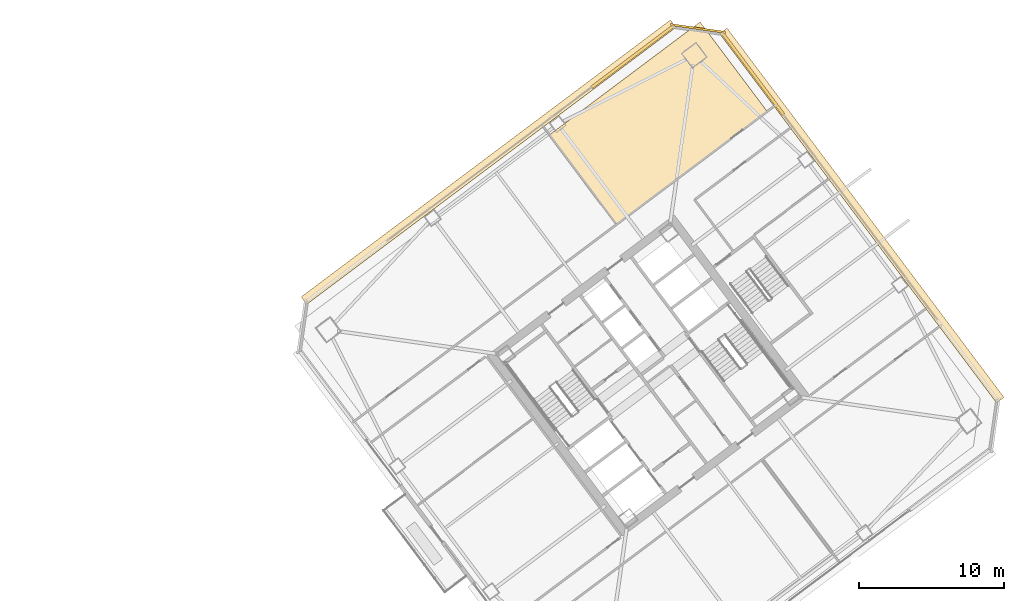
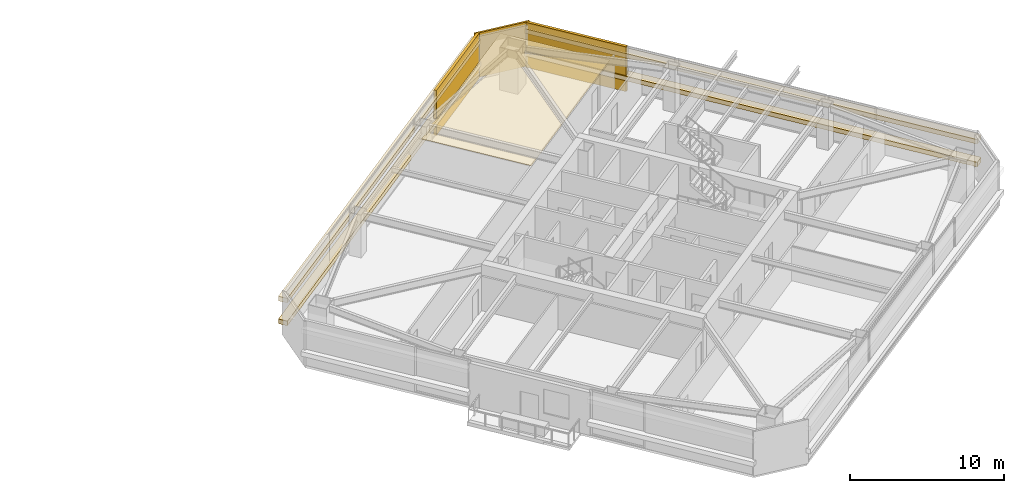
# One storey, part 40 of 40: 8 coverings.
"""IFC4 building model written with IfcOpenShell, lengths in metres."""

from ifc_helpers import new_model, si_unit, direction, frame, origin, origin_2d, place, context, subcontext, project, spatial, polyline, rectangle, outline, extrude, material, layer, layer_set, type_object, element, save


model = new_model("IFC4")

# Units and contexts
model_context = context("Model", 3, precision=1e-05, world=origin(), true_north=direction((0.0, 1.0)))
body_context = subcontext(model_context, "Body", "Model", "MODEL_VIEW")
ifc_project = project(units=[si_unit("LENGTHUNIT", "METRE"), si_unit("AREAUNIT", "SQUARE_METRE"), si_unit("VOLUMEUNIT", "CUBIC_METRE"), si_unit("PLANEANGLEUNIT", "RADIAN"), si_unit("MASSUNIT", "GRAM", prefix="KILO")], contexts=[model_context])

# Site, building, storey
site_placement = place(None, origin())
site = spatial("IfcSite", under=ifc_project, at=site_placement, CompositionType="ELEMENT")
building_placement = place(site_placement, origin())
building = spatial("IfcBuilding", under=site, at=building_placement, Name="Tashvorn Skyway Center", CompositionType="ELEMENT")
storey_placement = place(building_placement, frame((0.0, 0.0, 142.800048828125)))
storey = spatial("IfcBuildingStorey", under=building, at=storey_placement, Name="L38", CompositionType="ELEMENT", Elevation=142.800048828125)

# Coverings
ifc_material_1 = material(Name="Precast concrete C40/50", Category="concrete")
ifc_layer_1 = layer(ifc_material_1, 0.199951171875)
ifc_layer_set_1 = layer_set([ifc_layer_1], Name="Precast concrete C40/50")
covering_type_1 = type_object("IfcCoveringType", Name="COV-BRACE-CLAD", PredefinedType="CLADDING", material=ifc_layer_set_1)
for number, where, z_axis, x_axis, name in (
    (1, (112.912841796875, 54.03466796875, 0.0), (0.0, 0.0, 1.0), (0.799999996291, 0.600000004945, 0.0), "Tower 2 L38 North Unitised Curtain Wall Mega-Brace Cladding Band 2"),
    (2, (121.21337890625, 52.848876953125, 0.0), (0.0, 0.0, 1.0), (0.600000004945, -0.799999996291, 0.0), "Tower 2 L38 East Unitised Curtain Wall Mega-Brace Cladding Band 1"),
):
    element("IfcCovering", number, at=place(storey_placement, frame(where, z_axis=z_axis, x_axis=x_axis)), inside=storey, type_object=covering_type_1, Name=name, PredefinedType="CLADDING", context=body_context, shape_type="SweptSolid", body=[
        extrude(rectangle(XDim=7.057861328125, YDim=0.199951171875, at=origin_2d()), origin(), (0.0, 0.0, 1.0), 3.550048828125),
    ])
ifc_material_2 = material(Name="Mineral-fibre acoustic ceiling tile on suspended grid")
ifc_layer_2 = layer(ifc_material_2, 0.02001953125)
ifc_layer_set_2 = layer_set([ifc_layer_2], Name="Mineral-fibre acoustic ceiling tile on suspended grid")
covering_type_2 = type_object("IfcCoveringType", Name="COV-CEIL-20", PredefinedType="CEILING", material=ifc_layer_set_2)
covering_1_placement = place(storey_placement, frame((0.0, 0.0, 2.702880859375)))
element("IfcCovering", 3, at=covering_1_placement, inside=storey, type_object=covering_type_2, Name="Tower 2 L38 Wellness Clinic Acoustic Ceiling", PredefinedType="CEILING", context=body_context, shape_type="SweptSolid", body=[
    extrude(outline(polyline([(111.798095703125, 42.43603515625), (122.197998046875, 50.236083984375), (117.56005859375, 56.419921875), (107.159912109375, 48.6201171875), (111.798095703125, 42.43603515625)])), origin(), (0.0, 0.0, 1.0), 0.02001953125),
])
ifc_material_3 = material(Name="Perforated ceramic-coated bronze aluminium solar screen", Category="aluminium")
ifc_layer_3 = layer(ifc_material_3, 0.85009765625)
ifc_layer_set_3 = layer_set([ifc_layer_3], Name="Perforated ceramic-coated bronze aluminium solar screen")
covering_type_3 = type_object("IfcCoveringType", Name="COV-SOLAR-BAND", PredefinedType="CLADDING", material=ifc_layer_set_3)
for number, where, z_axis, x_axis, name in (
    (4, (102.947998046875, 46.736083984375, 0.919921875), (0.0, 0.0, 1.0), (0.799999996291, 0.600000004945, 0.0), "L38 Perforated Ceramic-Metal Solar Screen Louvre Band North 1"),
    (5, (102.947998046875, 46.736083984375, 2.7197265625), (0.0, 0.0, 1.0), (0.799999996291, 0.600000004945, 0.0), "L38 Perforated Ceramic-Metal Solar Screen Louvre Band North 2"),
    (6, (128.736083984375, 43.052001953125, 0.919921875), (0.0, 0.0, 1.0), (0.600000004945, -0.799999996291, 0.0), "L38 Perforated Ceramic-Metal Solar Screen Louvre Band East 1"),
    (7, (128.736083984375, 43.052001953125, 2.7197265625), (0.0, 0.0, 1.0), (0.600000004945, -0.799999996291, 0.0), "L38 Perforated Ceramic-Metal Solar Screen Louvre Band East 2"),
):
    element("IfcCovering", number, at=place(storey_placement, frame(where, z_axis=z_axis, x_axis=x_axis)), inside=storey, type_object=covering_type_3, Name=name, PredefinedType="CLADDING", context=body_context, shape_type="SweptSolid", body=[
        extrude(rectangle(XDim=31.8798828125, YDim=0.639892578125, at=origin_2d()), origin(), (0.0, 0.0, 1.0), 0.360107421875),
    ])
ifc_layer_4 = layer(ifc_material_1, 0.35009765625)
ifc_layer_set_4 = layer_set([ifc_layer_4], Name="Precast concrete C40/50")
covering_type_4 = type_object("IfcCoveringType", Name="COV-STONE-TRIM", PredefinedType="CLADDING", material=ifc_layer_set_4)
covering_2_placement = place(storey_placement, frame((117.424072265625, 55.968017578125, 0.02001953125), z_axis=(0.0, 0.0, 1.0), x_axis=(0.989949494535, -0.141421350118, 0.0)))
element("IfcCovering", 8, at=covering_2_placement, inside=storey, type_object=covering_type_4, Name="Tower 2 L38 NE Mojave Limestone Corner Quoin", PredefinedType="CLADDING", context=body_context, shape_type="SweptSolid", body=[
    extrude(rectangle(XDim=3.8369140625, YDim=0.139892578125, at=origin_2d()), origin(), (0.0, 0.0, 1.0), 3.510009765625),
])

save(model, "model.ifc")
